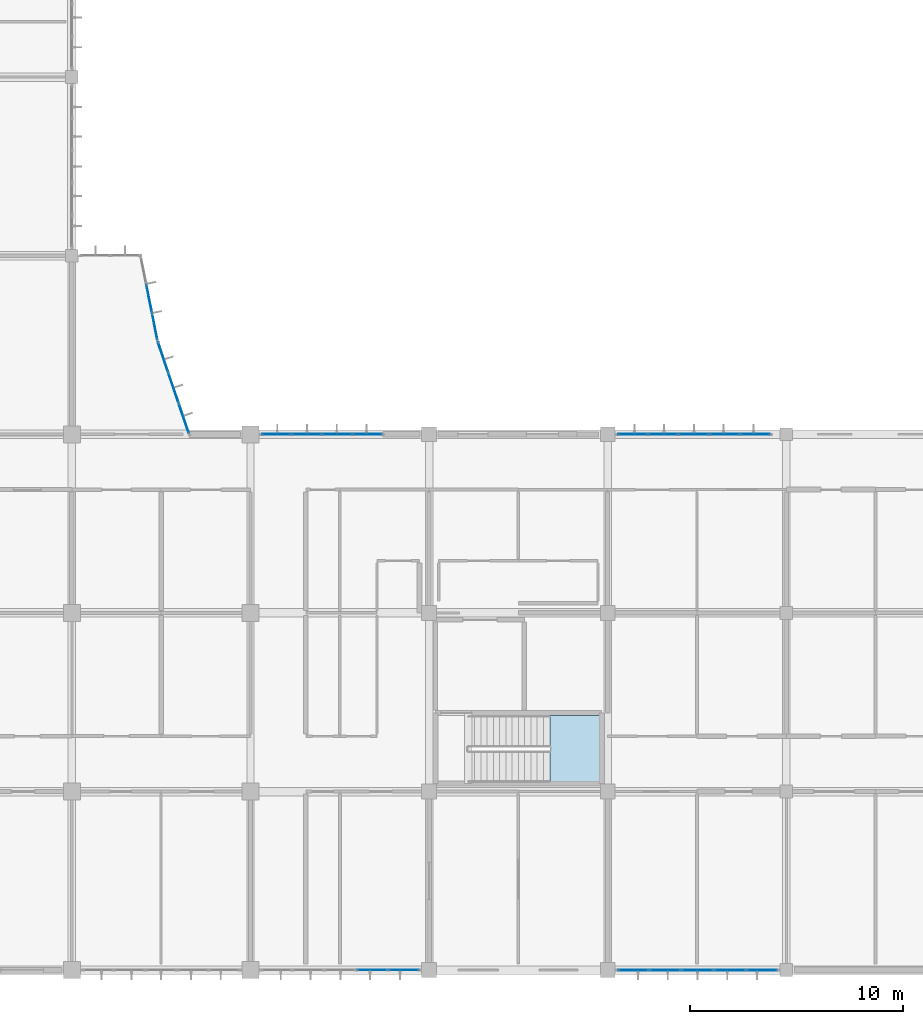
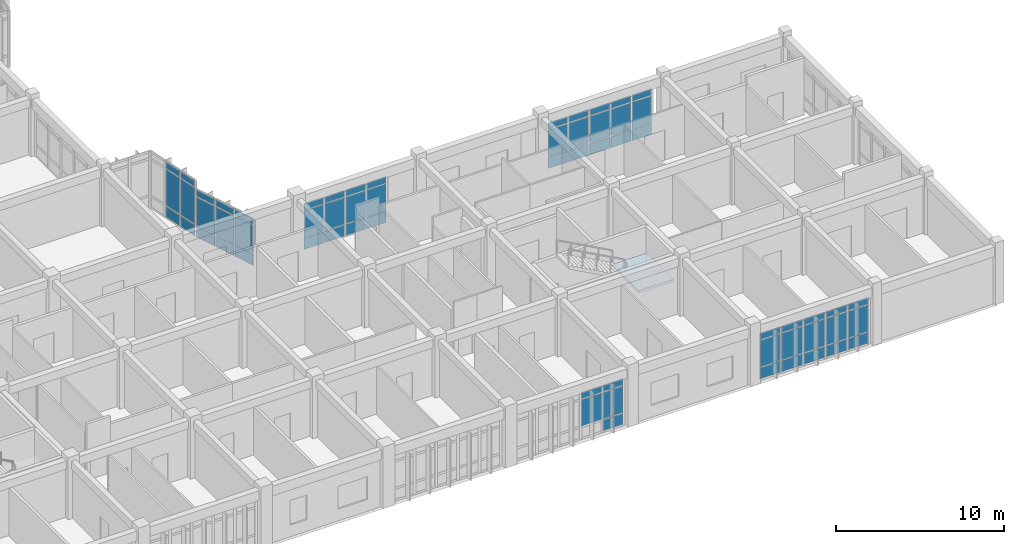
# One storey, part 84 of 144: 62 plates, 1 slab, 7 elements without a shape of their own.
"""IFC4 building model written with IfcOpenShell, lengths in metres."""

from ifc_helpers import new_model, si_unit, direction, frame, origin, origin_2d, place, context, subcontext, project, spatial, polyline, rectangle, outline, extrude, material, layer, layer_set, type_object, element, aggregate, save


model = new_model("IFC4")

# Units and contexts
model_context = context("Model", 3, precision=1e-05, world=origin(), true_north=direction((0.0, 1.0)))
body_context = subcontext(model_context, "Body", "Model", "MODEL_VIEW")
ifc_project = project(units=[si_unit("LENGTHUNIT", "METRE"), si_unit("AREAUNIT", "SQUARE_METRE"), si_unit("VOLUMEUNIT", "CUBIC_METRE"), si_unit("PLANEANGLEUNIT", "RADIAN"), si_unit("MASSUNIT", "GRAM", prefix="KILO")], contexts=[model_context])

# Site, building, storey
site_placement = place(None, origin())
site = spatial("IfcSite", under=ifc_project, at=site_placement, CompositionType="ELEMENT")
building_placement = place(site_placement, origin())
building = spatial("IfcBuilding", under=site, at=building_placement, Name="Bramfleet General Hospital", CompositionType="ELEMENT")
storey_placement = place(building_placement, frame((0.0, 0.0, 4.800048828125)))
storey = spatial("IfcBuildingStorey", under=building, at=storey_placement, Name="L01", CompositionType="ELEMENT", Elevation=4.800048828125)

# Curtain wall, plates
ifc_material_1 = material(Name="Anodised aluminium and low-E triple glazing", Category="aluminium")
ifc_layer_1 = layer(ifc_material_1, 0.179931640625, Name="CWT-CW-15")
ifc_layer_set_1 = layer_set([ifc_layer_1], Name="Anodised aluminium and low-E triple glazing")
curtain_wall_type_1 = type_object("IfcCurtainWallType", Name="CWT-CW-15", PredefinedType="USERDEFINED", material=ifc_layer_set_1)
curtain_wall_1_placement = place(storey_placement, origin())
curtain_wall_1 = element("IfcCurtainWall", 1, at=curtain_wall_1_placement, inside=storey, type_object=curtain_wall_type_1, Name="L01 Curtain Wall 69", ObjectType="Stick curtain wall", PredefinedType="USERDEFINED")
ifc_material_2 = material(Name="Low-E laminated safety glass", Category="glass")
ifc_layer_2 = layer(ifc_material_2, 0.028076171875, Name="CWP-GLZ-1")
ifc_layer_set_2 = layer_set([ifc_layer_2], Name="Low-E laminated safety glass")
plate_type_1 = type_object("IfcPlateType", Name="CWP-GLZ-1", PredefinedType="CURTAIN_PANEL", material=ifc_layer_set_2)
plate_1_placement = place(storey_placement, frame((152.367919921875, 25.199951171875, 0.06494140625), z_axis=(0.0, 0.0, 1.0), x_axis=(1.0, 0.0, 0.0)))
plate_1 = element("IfcPlate", 2, at=plate_1_placement, type_object=plate_type_1, Name="CW-15 panel 1.1", PredefinedType="CURTAIN_PANEL", context=body_context, shape_type="SweptSolid", body=[
    extrude(rectangle(XDim=1.345947265625, YDim=0.028076171875, at=origin_2d()), origin(), (0.0, 0.0, 1.0), 0.802490234375),
])
plate_2_placement = place(storey_placement, frame((152.367919921875, 25.199951171875, 0.9326171875), z_axis=(0.0, 0.0, 1.0), x_axis=(1.0, 0.0, 0.0)))
plate_2 = element("IfcPlate", 3, at=plate_2_placement, type_object=plate_type_1, Name="CW-15 panel 1.2", PredefinedType="CURTAIN_PANEL", context=body_context, shape_type="SweptSolid", body=[
    extrude(rectangle(XDim=1.345947265625, YDim=0.028076171875, at=origin_2d()), origin(), (0.0, 0.0, 1.0), 1.925048828125),
])
plate_3_placement = place(storey_placement, frame((152.367919921875, 25.199951171875, 2.92236328125), z_axis=(0.0, 0.0, 1.0), x_axis=(1.0, 0.0, 0.0)))
plate_3 = element("IfcPlate", 4, at=plate_3_placement, type_object=plate_type_1, Name="CW-15 panel 1.3", PredefinedType="CURTAIN_PANEL", context=body_context, shape_type="SweptSolid", body=[
    extrude(rectangle(XDim=1.345947265625, YDim=0.028076171875, at=origin_2d()), origin(), (0.0, 0.0, 1.0), 0.452392578125),
])
plate_4_placement = place(storey_placement, frame((153.801513671875, 25.199951171875, 0.06494140625), z_axis=(0.0, 0.0, 1.0), x_axis=(1.0, 0.0, 0.0)))
plate_4 = element("IfcPlate", 5, at=plate_4_placement, type_object=plate_type_1, Name="CW-15 panel 2.1", PredefinedType="CURTAIN_PANEL", context=body_context, shape_type="SweptSolid", body=[
    extrude(rectangle(XDim=1.381103515625, YDim=0.028076171875, at=origin_2d()), origin(), (0.0, 0.0, 1.0), 0.802490234375),
])
plate_5_placement = place(storey_placement, frame((153.801513671875, 25.199951171875, 0.9326171875), z_axis=(0.0, 0.0, 1.0), x_axis=(1.0, 0.0, 0.0)))
plate_5 = element("IfcPlate", 6, at=plate_5_placement, type_object=plate_type_1, Name="CW-15 panel 2.2", PredefinedType="CURTAIN_PANEL", context=body_context, shape_type="SweptSolid", body=[
    extrude(rectangle(XDim=1.381103515625, YDim=0.028076171875, at=origin_2d()), origin(), (0.0, 0.0, 1.0), 1.925048828125),
])
plate_6_placement = place(storey_placement, frame((153.801513671875, 25.199951171875, 2.92236328125), z_axis=(0.0, 0.0, 1.0), x_axis=(1.0, 0.0, 0.0)))
plate_6 = element("IfcPlate", 7, at=plate_6_placement, type_object=plate_type_1, Name="CW-15 panel 2.3", PredefinedType="CURTAIN_PANEL", context=body_context, shape_type="SweptSolid", body=[
    extrude(rectangle(XDim=1.381103515625, YDim=0.028076171875, at=origin_2d()), origin(), (0.0, 0.0, 1.0), 0.452392578125),
])
plate_7_placement = place(storey_placement, frame((155.25244140625, 25.199951171875, 0.06494140625), z_axis=(0.0, 0.0, 1.0), x_axis=(1.0, 0.0, 0.0)))
plate_7 = element("IfcPlate", 8, at=plate_7_placement, type_object=plate_type_1, Name="CW-15 panel 3.1", PredefinedType="CURTAIN_PANEL", context=body_context, shape_type="SweptSolid", body=[
    extrude(rectangle(XDim=1.381103515625, YDim=0.028076171875, at=origin_2d()), origin(), (0.0, 0.0, 1.0), 0.802490234375),
])
plate_8_placement = place(storey_placement, frame((155.25244140625, 25.199951171875, 0.9326171875), z_axis=(0.0, 0.0, 1.0), x_axis=(1.0, 0.0, 0.0)))
plate_8 = element("IfcPlate", 9, at=plate_8_placement, type_object=plate_type_1, Name="CW-15 panel 3.2", PredefinedType="CURTAIN_PANEL", context=body_context, shape_type="SweptSolid", body=[
    extrude(rectangle(XDim=1.381103515625, YDim=0.028076171875, at=origin_2d()), origin(), (0.0, 0.0, 1.0), 1.925048828125),
])
plate_9_placement = place(storey_placement, frame((155.25244140625, 25.199951171875, 2.92236328125), z_axis=(0.0, 0.0, 1.0), x_axis=(1.0, 0.0, 0.0)))
plate_9 = element("IfcPlate", 10, at=plate_9_placement, type_object=plate_type_1, Name="CW-15 panel 3.3", PredefinedType="CURTAIN_PANEL", context=body_context, shape_type="SweptSolid", body=[
    extrude(rectangle(XDim=1.381103515625, YDim=0.028076171875, at=origin_2d()), origin(), (0.0, 0.0, 1.0), 0.452392578125),
])
plate_10_placement = place(storey_placement, frame((156.70361328125, 25.199951171875, 0.06494140625), z_axis=(0.0, 0.0, 1.0), x_axis=(1.0, 0.0, 0.0)))
plate_10 = element("IfcPlate", 11, at=plate_10_placement, type_object=plate_type_1, Name="CW-15 panel 4.1", PredefinedType="CURTAIN_PANEL", context=body_context, shape_type="SweptSolid", body=[
    extrude(rectangle(XDim=1.381103515625, YDim=0.028076171875, at=origin_2d()), origin(), (0.0, 0.0, 1.0), 0.802490234375),
])
plate_11_placement = place(storey_placement, frame((156.70361328125, 25.199951171875, 0.9326171875), z_axis=(0.0, 0.0, 1.0), x_axis=(1.0, 0.0, 0.0)))
plate_11 = element("IfcPlate", 12, at=plate_11_placement, type_object=plate_type_1, Name="CW-15 panel 4.2", PredefinedType="CURTAIN_PANEL", context=body_context, shape_type="SweptSolid", body=[
    extrude(rectangle(XDim=1.381103515625, YDim=0.028076171875, at=origin_2d()), origin(), (0.0, 0.0, 1.0), 1.925048828125),
])
plate_12_placement = place(storey_placement, frame((156.70361328125, 25.199951171875, 2.92236328125), z_axis=(0.0, 0.0, 1.0), x_axis=(1.0, 0.0, 0.0)))
plate_12 = element("IfcPlate", 13, at=plate_12_placement, type_object=plate_type_1, Name="CW-15 panel 4.3", PredefinedType="CURTAIN_PANEL", context=body_context, shape_type="SweptSolid", body=[
    extrude(rectangle(XDim=1.381103515625, YDim=0.028076171875, at=origin_2d()), origin(), (0.0, 0.0, 1.0), 0.452392578125),
])
plate_13_placement = place(storey_placement, frame((158.136962890625, 25.199951171875, 0.06494140625), z_axis=(0.0, 0.0, 1.0), x_axis=(1.0, 0.0, 0.0)))
plate_13 = element("IfcPlate", 14, at=plate_13_placement, type_object=plate_type_1, Name="CW-15 panel 5.1", PredefinedType="CURTAIN_PANEL", context=body_context, shape_type="SweptSolid", body=[
    extrude(rectangle(XDim=1.345947265625, YDim=0.028076171875, at=origin_2d()), origin(), (0.0, 0.0, 1.0), 0.802490234375),
])
plate_14_placement = place(storey_placement, frame((158.136962890625, 25.199951171875, 0.9326171875), z_axis=(0.0, 0.0, 1.0), x_axis=(1.0, 0.0, 0.0)))
plate_14 = element("IfcPlate", 15, at=plate_14_placement, type_object=plate_type_1, Name="CW-15 panel 5.2", PredefinedType="CURTAIN_PANEL", context=body_context, shape_type="SweptSolid", body=[
    extrude(rectangle(XDim=1.345947265625, YDim=0.028076171875, at=origin_2d()), origin(), (0.0, 0.0, 1.0), 1.925048828125),
])
plate_15_placement = place(storey_placement, frame((158.136962890625, 25.199951171875, 2.92236328125), z_axis=(0.0, 0.0, 1.0), x_axis=(1.0, 0.0, 0.0)))
plate_15 = element("IfcPlate", 16, at=plate_15_placement, type_object=plate_type_1, Name="CW-15 panel 5.3", PredefinedType="CURTAIN_PANEL", context=body_context, shape_type="SweptSolid", body=[
    extrude(rectangle(XDim=1.345947265625, YDim=0.028076171875, at=origin_2d()), origin(), (0.0, 0.0, 1.0), 0.452392578125),
])
aggregate(curtain_wall_1, [plate_1, plate_2, plate_3, plate_4, plate_5, plate_6, plate_7, plate_8, plate_9, plate_10, plate_11, plate_12, plate_13, plate_14, plate_15])

ifc_layer_3 = layer(ifc_material_1, 0.179931640625, Name="CWT-CW-01")
ifc_layer_set_3 = layer_set([ifc_layer_3], Name="Anodised aluminium and low-E triple glazing")
curtain_wall_type_2 = type_object("IfcCurtainWallType", Name="CWT-CW-01", PredefinedType="USERDEFINED", material=ifc_layer_set_3)
curtain_wall_2_placement = place(storey_placement, origin())
curtain_wall_2 = element("IfcCurtainWall", 17, at=curtain_wall_2_placement, inside=storey, type_object=curtain_wall_type_2, Name="L01 Curtain Wall 73", ObjectType="Unitised curtain wall", PredefinedType="USERDEFINED")
plate_16_placement = place(storey_placement, frame((141.607421875, 0.0, 0.06494140625), z_axis=(0.0, 0.0, 1.0), x_axis=(-1.0, 0.0, 0.0)))
plate_16 = element("IfcPlate", 18, at=plate_16_placement, type_object=plate_type_1, Name="CW-01 panel 1.1", PredefinedType="CURTAIN_PANEL", context=body_context, shape_type="SweptSolid", body=[
    extrude(rectangle(XDim=1.39501953125, YDim=0.028076171875, at=origin_2d()), origin(), (0.0, 0.0, 1.0), 0.802490234375),
])
plate_17_placement = place(storey_placement, frame((141.607421875, 0.0, 0.9326171875), z_axis=(0.0, 0.0, 1.0), x_axis=(-1.0, 0.0, 0.0)))
plate_17 = element("IfcPlate", 19, at=plate_17_placement, type_object=plate_type_1, Name="CW-01 panel 1.2", PredefinedType="CURTAIN_PANEL", context=body_context, shape_type="SweptSolid", body=[
    extrude(rectangle(XDim=1.39501953125, YDim=0.028076171875, at=origin_2d()), origin(), (0.0, 0.0, 1.0), 1.925048828125),
])
plate_18_placement = place(storey_placement, frame((141.607421875, 0.0, 2.92236328125), z_axis=(0.0, 0.0, 1.0), x_axis=(-1.0, 0.0, 0.0)))
plate_18 = element("IfcPlate", 20, at=plate_18_placement, type_object=plate_type_1, Name="CW-01 panel 1.3", PredefinedType="CURTAIN_PANEL", context=body_context, shape_type="SweptSolid", body=[
    extrude(rectangle(XDim=1.39501953125, YDim=0.028076171875, at=origin_2d()), origin(), (0.0, 0.0, 1.0), 0.452392578125),
])
plate_19_placement = place(storey_placement, frame((140.125, 0.0, 0.9326171875), z_axis=(0.0, 0.0, 1.0), x_axis=(-1.0, 0.0, 0.0)))
plate_19 = element("IfcPlate", 21, at=plate_19_placement, type_object=plate_type_1, Name="CW-01 panel 2.2", PredefinedType="CURTAIN_PANEL", context=body_context, shape_type="SweptSolid", body=[
    extrude(rectangle(XDim=1.429931640625, YDim=0.028076171875, at=origin_2d()), origin(), (0.0, 0.0, 1.0), 1.925048828125),
])
plate_20_placement = place(storey_placement, frame((140.125, 0.0, 2.92236328125), z_axis=(0.0, 0.0, 1.0), x_axis=(-1.0, 0.0, 0.0)))
plate_20 = element("IfcPlate", 22, at=plate_20_placement, type_object=plate_type_1, Name="CW-01 panel 2.3", PredefinedType="CURTAIN_PANEL", context=body_context, shape_type="SweptSolid", body=[
    extrude(rectangle(XDim=1.429931640625, YDim=0.028076171875, at=origin_2d()), origin(), (0.0, 0.0, 1.0), 0.452392578125),
])
aggregate(curtain_wall_2, [plate_16, plate_17, plate_18, plate_19, plate_20])

ifc_layer_4 = layer(ifc_material_1, 0.179931640625, Name="CWT-CW-12")
ifc_layer_set_4 = layer_set([ifc_layer_4], Name="Anodised aluminium and low-E triple glazing")
curtain_wall_type_3 = type_object("IfcCurtainWallType", Name="CWT-CW-12", PredefinedType="USERDEFINED", material=ifc_layer_set_4)
curtain_wall_3_placement = place(storey_placement, origin())
curtain_wall_3 = element("IfcCurtainWall", 23, at=curtain_wall_3_placement, inside=storey, type_object=curtain_wall_type_3, Name="L01 Curtain Wall 66", ObjectType="Stick curtain wall", PredefinedType="USERDEFINED")
ifc_layer_5 = layer(ifc_material_2, 0.031982421875, Name="CWP-GLZ-2")
ifc_layer_set_5 = layer_set([ifc_layer_5], Name="Low-E laminated safety glass")
plate_type_2 = type_object("IfcPlateType", Name="CWP-GLZ-2", PredefinedType="CURTAIN_PANEL", material=ifc_layer_set_5)
plate_21_placement = place(storey_placement, frame((129.635498046875, 31.58837890625, 0.06494140625), z_axis=(0.0, 0.0, 1.0), x_axis=(0.195272189606, -0.980749087161, 0.0)))
plate_21 = element("IfcPlate", 24, at=plate_21_placement, type_object=plate_type_2, Name="CW-12 panel 2.1", PredefinedType="CURTAIN_PANEL", context=body_context, shape_type="SweptSolid", body=[
    extrude(rectangle(XDim=1.29736328125, YDim=0.031982421875, at=origin_2d()), origin(), (0.0, 0.0, 1.0), 0.802490234375),
])
plate_22_placement = place(storey_placement, frame((129.635498046875, 31.58837890625, 0.932373046875), z_axis=(0.0, 0.0, 1.0), x_axis=(0.195272189606, -0.980749087161, 0.0)))
plate_22 = element("IfcPlate", 25, at=plate_22_placement, type_object=plate_type_2, Name="CW-12 panel 2.2", PredefinedType="CURTAIN_PANEL", context=body_context, shape_type="SweptSolid", body=[
    extrude(rectangle(XDim=1.29736328125, YDim=0.031982421875, at=origin_2d()), origin(), (0.0, 0.0, 1.0), 2.625),
])
plate_23_placement = place(storey_placement, frame((129.635498046875, 31.58837890625, 3.62255859375), z_axis=(0.0, 0.0, 1.0), x_axis=(0.195272189606, -0.980749087161, 0.0)))
plate_23 = element("IfcPlate", 26, at=plate_23_placement, type_object=plate_type_2, Name="CW-12 panel 2.3", PredefinedType="CURTAIN_PANEL", context=body_context, shape_type="SweptSolid", body=[
    extrude(rectangle(XDim=1.29736328125, YDim=0.031982421875, at=origin_2d()), origin(), (0.0, 0.0, 1.0), 0.452392578125),
])
plate_24_placement = place(storey_placement, frame((129.899169921875, 30.2646484375, 0.06494140625), z_axis=(0.0, 0.0, 1.0), x_axis=(0.195272189606, -0.980749087161, 0.0)))
plate_24 = element("IfcPlate", 27, at=plate_24_placement, type_object=plate_type_2, Name="CW-12 panel 3.1", PredefinedType="CURTAIN_PANEL", context=body_context, shape_type="SweptSolid", body=[
    extrude(rectangle(XDim=1.26220703125, YDim=0.031982421875, at=origin_2d()), origin(), (0.0, 0.0, 1.0), 0.802490234375),
])
plate_25_placement = place(storey_placement, frame((129.899169921875, 30.2646484375, 0.932373046875), z_axis=(0.0, 0.0, 1.0), x_axis=(0.195272189606, -0.980749087161, 0.0)))
plate_25 = element("IfcPlate", 28, at=plate_25_placement, type_object=plate_type_2, Name="CW-12 panel 3.2", PredefinedType="CURTAIN_PANEL", context=body_context, shape_type="SweptSolid", body=[
    extrude(rectangle(XDim=1.26220703125, YDim=0.031982421875, at=origin_2d()), origin(), (0.0, 0.0, 1.0), 2.625),
])
plate_26_placement = place(storey_placement, frame((129.899169921875, 30.2646484375, 3.62255859375), z_axis=(0.0, 0.0, 1.0), x_axis=(0.195272189606, -0.980749087161, 0.0)))
plate_26 = element("IfcPlate", 29, at=plate_26_placement, type_object=plate_type_2, Name="CW-12 panel 3.3", PredefinedType="CURTAIN_PANEL", context=body_context, shape_type="SweptSolid", body=[
    extrude(rectangle(XDim=1.26220703125, YDim=0.031982421875, at=origin_2d()), origin(), (0.0, 0.0, 1.0), 0.452392578125),
])
aggregate(curtain_wall_3, [plate_21, plate_22, plate_23, plate_24, plate_25, plate_26])

ifc_layer_6 = layer(ifc_material_1, 0.179931640625, Name="CWT-CW-13")
ifc_layer_set_6 = layer_set([ifc_layer_6], Name="Anodised aluminium and low-E triple glazing")
curtain_wall_type_4 = type_object("IfcCurtainWallType", Name="CWT-CW-13", PredefinedType="USERDEFINED", material=ifc_layer_set_6)
curtain_wall_4_placement = place(storey_placement, origin())
curtain_wall_4 = element("IfcCurtainWall", 30, at=curtain_wall_4_placement, inside=storey, type_object=curtain_wall_type_4, Name="L01 Curtain Wall 67", ObjectType="Stick curtain wall", PredefinedType="USERDEFINED")
ifc_layer_7 = layer(ifc_material_2, 0.035888671875, Name="CWP-GLZ-3")
ifc_layer_set_7 = layer_set([ifc_layer_7], Name="Low-E laminated safety glass")
plate_type_3 = type_object("IfcPlateType", Name="CWP-GLZ-3", PredefinedType="CURTAIN_PANEL", material=ifc_layer_set_7)
plate_27_placement = place(storey_placement, frame((130.2890625, 28.830810546875, 0.06494140625), z_axis=(0.0, 0.0, 1.0), x_axis=(0.321285950829, -0.94698222676, 0.0)))
plate_27 = element("IfcPlate", 31, at=plate_27_placement, type_object=plate_type_3, Name="CW-13 panel 1.1", PredefinedType="CURTAIN_PANEL", context=body_context, shape_type="SweptSolid", body=[
    extrude(rectangle(XDim=1.435791015625, YDim=0.035888671875, at=origin_2d()), origin(), (0.0, 0.0, 1.0), 0.802490234375),
])
plate_28_placement = place(storey_placement, frame((130.2890625, 28.830810546875, 0.9326171875), z_axis=(0.0, 0.0, 1.0), x_axis=(0.321285950829, -0.94698222676, 0.0)))
plate_28 = element("IfcPlate", 32, at=plate_28_placement, type_object=plate_type_3, Name="CW-13 panel 1.2", PredefinedType="CURTAIN_PANEL", context=body_context, shape_type="SweptSolid", body=[
    extrude(rectangle(XDim=1.435791015625, YDim=0.035888671875, at=origin_2d()), origin(), (0.0, 0.0, 1.0), 2.02490234375),
])
plate_29_placement = place(storey_placement, frame((130.2890625, 28.830810546875, 3.0224609375), z_axis=(0.0, 0.0, 1.0), x_axis=(0.321285950829, -0.94698222676, 0.0)))
plate_29 = element("IfcPlate", 33, at=plate_29_placement, type_object=plate_type_3, Name="CW-13 panel 1.3", PredefinedType="CURTAIN_PANEL", context=body_context, shape_type="SweptSolid", body=[
    extrude(rectangle(XDim=1.435791015625, YDim=0.035888671875, at=origin_2d()), origin(), (0.0, 0.0, 1.0), 0.452392578125),
])
plate_30_placement = place(storey_placement, frame((130.778564453125, 27.388427734375, 0.06494140625), z_axis=(0.0, 0.0, 1.0), x_axis=(0.321285950829, -0.94698222676, 0.0)))
plate_30 = element("IfcPlate", 34, at=plate_30_placement, type_object=plate_type_3, Name="CW-13 panel 2.1", PredefinedType="CURTAIN_PANEL", context=body_context, shape_type="SweptSolid", body=[
    extrude(rectangle(XDim=1.470703125, YDim=0.035888671875, at=origin_2d()), origin(), (0.0, 0.0, 1.0), 0.802490234375),
])
plate_31_placement = place(storey_placement, frame((130.778564453125, 27.388427734375, 0.9326171875), z_axis=(0.0, 0.0, 1.0), x_axis=(0.321285950829, -0.94698222676, 0.0)))
plate_31 = element("IfcPlate", 35, at=plate_31_placement, type_object=plate_type_3, Name="CW-13 panel 2.2", PredefinedType="CURTAIN_PANEL", context=body_context, shape_type="SweptSolid", body=[
    extrude(rectangle(XDim=1.470703125, YDim=0.035888671875, at=origin_2d()), origin(), (0.0, 0.0, 1.0), 2.02490234375),
])
plate_32_placement = place(storey_placement, frame((130.778564453125, 27.388427734375, 3.0224609375), z_axis=(0.0, 0.0, 1.0), x_axis=(0.321285950829, -0.94698222676, 0.0)))
plate_32 = element("IfcPlate", 36, at=plate_32_placement, type_object=plate_type_3, Name="CW-13 panel 2.3", PredefinedType="CURTAIN_PANEL", context=body_context, shape_type="SweptSolid", body=[
    extrude(rectangle(XDim=1.470703125, YDim=0.035888671875, at=origin_2d()), origin(), (0.0, 0.0, 1.0), 0.452392578125),
])
plate_33_placement = place(storey_placement, frame((131.267822265625, 25.946044921875, 0.06494140625), z_axis=(0.0, 0.0, 1.0), x_axis=(0.321285950829, -0.94698222676, 0.0)))
plate_33 = element("IfcPlate", 37, at=plate_33_placement, type_object=plate_type_3, Name="CW-13 panel 3.1", PredefinedType="CURTAIN_PANEL", context=body_context, shape_type="SweptSolid", body=[
    extrude(rectangle(XDim=1.435791015625, YDim=0.035888671875, at=origin_2d()), origin(), (0.0, 0.0, 1.0), 0.802490234375),
])
plate_34_placement = place(storey_placement, frame((131.267822265625, 25.946044921875, 0.9326171875), z_axis=(0.0, 0.0, 1.0), x_axis=(0.321285950829, -0.94698222676, 0.0)))
plate_34 = element("IfcPlate", 38, at=plate_34_placement, type_object=plate_type_3, Name="CW-13 panel 3.2", PredefinedType="CURTAIN_PANEL", context=body_context, shape_type="SweptSolid", body=[
    extrude(rectangle(XDim=1.435791015625, YDim=0.035888671875, at=origin_2d()), origin(), (0.0, 0.0, 1.0), 2.02490234375),
])
plate_35_placement = place(storey_placement, frame((131.267822265625, 25.946044921875, 3.0224609375), z_axis=(0.0, 0.0, 1.0), x_axis=(0.321285950829, -0.94698222676, 0.0)))
plate_35 = element("IfcPlate", 39, at=plate_35_placement, type_object=plate_type_3, Name="CW-13 panel 3.3", PredefinedType="CURTAIN_PANEL", context=body_context, shape_type="SweptSolid", body=[
    extrude(rectangle(XDim=1.435791015625, YDim=0.035888671875, at=origin_2d()), origin(), (0.0, 0.0, 1.0), 0.452392578125),
])
aggregate(curtain_wall_4, [plate_27, plate_28, plate_29, plate_30, plate_31, plate_32, plate_33, plate_34, plate_35])

ifc_layer_8 = layer(ifc_material_1, 0.179931640625, Name="CWT-CW-14")
ifc_layer_set_8 = layer_set([ifc_layer_8], Name="Anodised aluminium and low-E triple glazing")
curtain_wall_type_5 = type_object("IfcCurtainWallType", Name="CWT-CW-14", PredefinedType="USERDEFINED", material=ifc_layer_set_8)
curtain_wall_5_placement = place(storey_placement, origin())
curtain_wall_5 = element("IfcCurtainWall", 40, at=curtain_wall_5_placement, inside=storey, type_object=curtain_wall_type_5, Name="L01 Curtain Wall 68", ObjectType="Stick curtain wall", PredefinedType="USERDEFINED")
ifc_layer_9 = layer(ifc_material_2, 0.0419921875, Name="CWP-GLZ-4")
ifc_layer_set_9 = layer_set([ifc_layer_9], Name="Low-E laminated safety glass")
plate_type_4 = type_object("IfcPlateType", Name="CWP-GLZ-4", PredefinedType="CURTAIN_PANEL", material=ifc_layer_set_9)
plate_36_placement = place(storey_placement, frame((135.61328125, 25.199951171875, 0.06494140625), z_axis=(0.0, 0.0, 1.0), x_axis=(1.0, 0.0, 0.0)))
plate_36 = element("IfcPlate", 41, at=plate_36_placement, type_object=plate_type_4, Name="CW-14 panel 1.1", PredefinedType="CURTAIN_PANEL", context=body_context, shape_type="SweptSolid", body=[
    extrude(rectangle(XDim=1.33642578125, YDim=0.0419921875, at=origin_2d()), origin(), (0.0, 0.0, 1.0), 0.802490234375),
])
plate_37_placement = place(storey_placement, frame((135.61328125, 25.199951171875, 0.9326171875), z_axis=(0.0, 0.0, 1.0), x_axis=(1.0, 0.0, 0.0)))
plate_37 = element("IfcPlate", 42, at=plate_37_placement, type_object=plate_type_4, Name="CW-14 panel 1.2", PredefinedType="CURTAIN_PANEL", context=body_context, shape_type="SweptSolid", body=[
    extrude(rectangle(XDim=1.33642578125, YDim=0.0419921875, at=origin_2d()), origin(), (0.0, 0.0, 1.0), 1.925048828125),
])
plate_38_placement = place(storey_placement, frame((135.61328125, 25.199951171875, 2.92236328125), z_axis=(0.0, 0.0, 1.0), x_axis=(1.0, 0.0, 0.0)))
plate_38 = element("IfcPlate", 43, at=plate_38_placement, type_object=plate_type_4, Name="CW-14 panel 1.3", PredefinedType="CURTAIN_PANEL", context=body_context, shape_type="SweptSolid", body=[
    extrude(rectangle(XDim=1.33642578125, YDim=0.0419921875, at=origin_2d()), origin(), (0.0, 0.0, 1.0), 0.452392578125),
])
plate_39_placement = place(storey_placement, frame((137.037353515625, 25.199951171875, 0.06494140625), z_axis=(0.0, 0.0, 1.0), x_axis=(1.0, 0.0, 0.0)))
plate_39 = element("IfcPlate", 44, at=plate_39_placement, type_object=plate_type_4, Name="CW-14 panel 2.1", PredefinedType="CURTAIN_PANEL", context=body_context, shape_type="SweptSolid", body=[
    extrude(rectangle(XDim=1.37158203125, YDim=0.0419921875, at=origin_2d()), origin(), (0.0, 0.0, 1.0), 0.802490234375),
])
plate_40_placement = place(storey_placement, frame((137.037353515625, 25.199951171875, 0.9326171875), z_axis=(0.0, 0.0, 1.0), x_axis=(1.0, 0.0, 0.0)))
plate_40 = element("IfcPlate", 45, at=plate_40_placement, type_object=plate_type_4, Name="CW-14 panel 2.2", PredefinedType="CURTAIN_PANEL", context=body_context, shape_type="SweptSolid", body=[
    extrude(rectangle(XDim=1.37158203125, YDim=0.0419921875, at=origin_2d()), origin(), (0.0, 0.0, 1.0), 1.925048828125),
])
plate_41_placement = place(storey_placement, frame((137.037353515625, 25.199951171875, 2.92236328125), z_axis=(0.0, 0.0, 1.0), x_axis=(1.0, 0.0, 0.0)))
plate_41 = element("IfcPlate", 46, at=plate_41_placement, type_object=plate_type_4, Name="CW-14 panel 2.3", PredefinedType="CURTAIN_PANEL", context=body_context, shape_type="SweptSolid", body=[
    extrude(rectangle(XDim=1.37158203125, YDim=0.0419921875, at=origin_2d()), origin(), (0.0, 0.0, 1.0), 0.452392578125),
])
plate_42_placement = place(storey_placement, frame((138.478759765625, 25.199951171875, 0.06494140625), z_axis=(0.0, 0.0, 1.0), x_axis=(1.0, 0.0, 0.0)))
plate_42 = element("IfcPlate", 47, at=plate_42_placement, type_object=plate_type_4, Name="CW-14 panel 3.1", PredefinedType="CURTAIN_PANEL", context=body_context, shape_type="SweptSolid", body=[
    extrude(rectangle(XDim=1.37158203125, YDim=0.0419921875, at=origin_2d()), origin(), (0.0, 0.0, 1.0), 0.802490234375),
])
plate_43_placement = place(storey_placement, frame((138.478759765625, 25.199951171875, 0.9326171875), z_axis=(0.0, 0.0, 1.0), x_axis=(1.0, 0.0, 0.0)))
plate_43 = element("IfcPlate", 48, at=plate_43_placement, type_object=plate_type_4, Name="CW-14 panel 3.2", PredefinedType="CURTAIN_PANEL", context=body_context, shape_type="SweptSolid", body=[
    extrude(rectangle(XDim=1.37158203125, YDim=0.0419921875, at=origin_2d()), origin(), (0.0, 0.0, 1.0), 1.925048828125),
])
plate_44_placement = place(storey_placement, frame((138.478759765625, 25.199951171875, 2.92236328125), z_axis=(0.0, 0.0, 1.0), x_axis=(1.0, 0.0, 0.0)))
plate_44 = element("IfcPlate", 49, at=plate_44_placement, type_object=plate_type_4, Name="CW-14 panel 3.3", PredefinedType="CURTAIN_PANEL", context=body_context, shape_type="SweptSolid", body=[
    extrude(rectangle(XDim=1.37158203125, YDim=0.0419921875, at=origin_2d()), origin(), (0.0, 0.0, 1.0), 0.452392578125),
])
plate_45_placement = place(storey_placement, frame((139.90283203125, 25.199951171875, 0.06494140625), z_axis=(0.0, 0.0, 1.0), x_axis=(1.0, 0.0, 0.0)))
plate_45 = element("IfcPlate", 50, at=plate_45_placement, type_object=plate_type_4, Name="CW-14 panel 4.1", PredefinedType="CURTAIN_PANEL", context=body_context, shape_type="SweptSolid", body=[
    extrude(rectangle(XDim=1.33642578125, YDim=0.0419921875, at=origin_2d()), origin(), (0.0, 0.0, 1.0), 0.802490234375),
])
plate_46_placement = place(storey_placement, frame((139.90283203125, 25.199951171875, 0.9326171875), z_axis=(0.0, 0.0, 1.0), x_axis=(1.0, 0.0, 0.0)))
plate_46 = element("IfcPlate", 51, at=plate_46_placement, type_object=plate_type_4, Name="CW-14 panel 4.2", PredefinedType="CURTAIN_PANEL", context=body_context, shape_type="SweptSolid", body=[
    extrude(rectangle(XDim=1.33642578125, YDim=0.0419921875, at=origin_2d()), origin(), (0.0, 0.0, 1.0), 1.925048828125),
])
plate_47_placement = place(storey_placement, frame((139.90283203125, 25.199951171875, 2.92236328125), z_axis=(0.0, 0.0, 1.0), x_axis=(1.0, 0.0, 0.0)))
plate_47 = element("IfcPlate", 52, at=plate_47_placement, type_object=plate_type_4, Name="CW-14 panel 4.3", PredefinedType="CURTAIN_PANEL", context=body_context, shape_type="SweptSolid", body=[
    extrude(rectangle(XDim=1.33642578125, YDim=0.0419921875, at=origin_2d()), origin(), (0.0, 0.0, 1.0), 0.452392578125),
])
aggregate(curtain_wall_5, [plate_36, plate_37, plate_38, plate_39, plate_40, plate_41, plate_42, plate_43, plate_44, plate_45, plate_46, plate_47])

ifc_layer_10 = layer(ifc_material_1, 0.179931640625, Name="CWT-CW-18")
ifc_layer_set_10 = layer_set([ifc_layer_10], Name="Anodised aluminium and low-E triple glazing")
curtain_wall_type_6 = type_object("IfcCurtainWallType", Name="CWT-CW-18", PredefinedType="USERDEFINED", material=ifc_layer_set_10)
curtain_wall_6_placement = place(storey_placement, origin())
curtain_wall_6 = element("IfcCurtainWall", 53, at=curtain_wall_6_placement, inside=storey, type_object=curtain_wall_type_6, Name="L01 Curtain Wall 72", ObjectType="Stick curtain wall", PredefinedType="USERDEFINED")
plate_48_placement = place(storey_placement, frame((158.447509765625, 0.0, 0.06494140625), z_axis=(0.0, 0.0, 1.0), x_axis=(-1.0, 0.0, 0.0)))
plate_48 = element("IfcPlate", 54, at=plate_48_placement, type_object=plate_type_4, Name="CW-18 panel 1.1", PredefinedType="CURTAIN_PANEL", context=body_context, shape_type="SweptSolid", body=[
    extrude(rectangle(XDim=1.4150390625, YDim=0.0419921875, at=origin_2d()), origin(), (0.0, 0.0, 1.0), 0.802490234375),
])
plate_49_placement = place(storey_placement, frame((158.447509765625, 0.0, 0.9326171875), z_axis=(0.0, 0.0, 1.0), x_axis=(-1.0, 0.0, 0.0)))
plate_49 = element("IfcPlate", 55, at=plate_49_placement, type_object=plate_type_4, Name="CW-18 panel 1.2", PredefinedType="CURTAIN_PANEL", context=body_context, shape_type="SweptSolid", body=[
    extrude(rectangle(XDim=1.4150390625, YDim=0.0419921875, at=origin_2d()), origin(), (0.0, 0.0, 1.0), 1.925048828125),
])
plate_50_placement = place(storey_placement, frame((158.447509765625, 0.0, 2.92236328125), z_axis=(0.0, 0.0, 1.0), x_axis=(-1.0, 0.0, 0.0)))
plate_50 = element("IfcPlate", 56, at=plate_50_placement, type_object=plate_type_4, Name="CW-18 panel 1.3", PredefinedType="CURTAIN_PANEL", context=body_context, shape_type="SweptSolid", body=[
    extrude(rectangle(XDim=1.4150390625, YDim=0.0419921875, at=origin_2d()), origin(), (0.0, 0.0, 1.0), 0.452392578125),
])
plate_51_placement = place(storey_placement, frame((156.945068359375, 0.0, 0.06494140625), z_axis=(0.0, 0.0, 1.0), x_axis=(-1.0, 0.0, 0.0)))
plate_51 = element("IfcPlate", 57, at=plate_51_placement, type_object=plate_type_4, Name="CW-18 panel 2.1", PredefinedType="CURTAIN_PANEL", context=body_context, shape_type="SweptSolid", body=[
    extrude(rectangle(XDim=1.449951171875, YDim=0.0419921875, at=origin_2d()), origin(), (0.0, 0.0, 1.0), 0.802490234375),
])
plate_52_placement = place(storey_placement, frame((156.945068359375, 0.0, 0.9326171875), z_axis=(0.0, 0.0, 1.0), x_axis=(-1.0, 0.0, 0.0)))
plate_52 = element("IfcPlate", 58, at=plate_52_placement, type_object=plate_type_4, Name="CW-18 panel 2.2", PredefinedType="CURTAIN_PANEL", context=body_context, shape_type="SweptSolid", body=[
    extrude(rectangle(XDim=1.449951171875, YDim=0.0419921875, at=origin_2d()), origin(), (0.0, 0.0, 1.0), 1.925048828125),
])
plate_53_placement = place(storey_placement, frame((156.945068359375, 0.0, 2.92236328125), z_axis=(0.0, 0.0, 1.0), x_axis=(-1.0, 0.0, 0.0)))
plate_53 = element("IfcPlate", 59, at=plate_53_placement, type_object=plate_type_4, Name="CW-18 panel 2.3", PredefinedType="CURTAIN_PANEL", context=body_context, shape_type="SweptSolid", body=[
    extrude(rectangle(XDim=1.449951171875, YDim=0.0419921875, at=origin_2d()), origin(), (0.0, 0.0, 1.0), 0.452392578125),
])
plate_54_placement = place(storey_placement, frame((155.425048828125, 0.0, 0.06494140625), z_axis=(0.0, 0.0, 1.0), x_axis=(-1.0, 0.0, 0.0)))
plate_54 = element("IfcPlate", 60, at=plate_54_placement, type_object=plate_type_4, Name="CW-18 panel 3.1", PredefinedType="CURTAIN_PANEL", context=body_context, shape_type="SweptSolid", body=[
    extrude(rectangle(XDim=1.449951171875, YDim=0.0419921875, at=origin_2d()), origin(), (0.0, 0.0, 1.0), 0.802490234375),
])
plate_55_placement = place(storey_placement, frame((155.425048828125, 0.0, 0.9326171875), z_axis=(0.0, 0.0, 1.0), x_axis=(-1.0, 0.0, 0.0)))
plate_55 = element("IfcPlate", 61, at=plate_55_placement, type_object=plate_type_4, Name="CW-18 panel 3.2", PredefinedType="CURTAIN_PANEL", context=body_context, shape_type="SweptSolid", body=[
    extrude(rectangle(XDim=1.449951171875, YDim=0.0419921875, at=origin_2d()), origin(), (0.0, 0.0, 1.0), 1.925048828125),
])
plate_56_placement = place(storey_placement, frame((155.425048828125, 0.0, 2.92236328125), z_axis=(0.0, 0.0, 1.0), x_axis=(-1.0, 0.0, 0.0)))
plate_56 = element("IfcPlate", 62, at=plate_56_placement, type_object=plate_type_4, Name="CW-18 panel 3.3", PredefinedType="CURTAIN_PANEL", context=body_context, shape_type="SweptSolid", body=[
    extrude(rectangle(XDim=1.449951171875, YDim=0.0419921875, at=origin_2d()), origin(), (0.0, 0.0, 1.0), 0.452392578125),
])
plate_57_placement = place(storey_placement, frame((153.905029296875, 0.0, 0.06494140625), z_axis=(0.0, 0.0, 1.0), x_axis=(-1.0, 0.0, 0.0)))
plate_57 = element("IfcPlate", 63, at=plate_57_placement, type_object=plate_type_4, Name="CW-18 panel 4.1", PredefinedType="CURTAIN_PANEL", context=body_context, shape_type="SweptSolid", body=[
    extrude(rectangle(XDim=1.449951171875, YDim=0.0419921875, at=origin_2d()), origin(), (0.0, 0.0, 1.0), 0.802490234375),
])
plate_58_placement = place(storey_placement, frame((153.905029296875, 0.0, 0.9326171875), z_axis=(0.0, 0.0, 1.0), x_axis=(-1.0, 0.0, 0.0)))
plate_58 = element("IfcPlate", 64, at=plate_58_placement, type_object=plate_type_4, Name="CW-18 panel 4.2", PredefinedType="CURTAIN_PANEL", context=body_context, shape_type="SweptSolid", body=[
    extrude(rectangle(XDim=1.449951171875, YDim=0.0419921875, at=origin_2d()), origin(), (0.0, 0.0, 1.0), 1.925048828125),
])
plate_59_placement = place(storey_placement, frame((153.905029296875, 0.0, 2.92236328125), z_axis=(0.0, 0.0, 1.0), x_axis=(-1.0, 0.0, 0.0)))
plate_59 = element("IfcPlate", 65, at=plate_59_placement, type_object=plate_type_4, Name="CW-18 panel 4.3", PredefinedType="CURTAIN_PANEL", context=body_context, shape_type="SweptSolid", body=[
    extrude(rectangle(XDim=1.449951171875, YDim=0.0419921875, at=origin_2d()), origin(), (0.0, 0.0, 1.0), 0.452392578125),
])
plate_60_placement = place(storey_placement, frame((152.402587890625, 0.0, 0.06494140625), z_axis=(0.0, 0.0, 1.0), x_axis=(-1.0, 0.0, 0.0)))
plate_60 = element("IfcPlate", 66, at=plate_60_placement, type_object=plate_type_4, Name="CW-18 panel 5.1", PredefinedType="CURTAIN_PANEL", context=body_context, shape_type="SweptSolid", body=[
    extrude(rectangle(XDim=1.4150390625, YDim=0.0419921875, at=origin_2d()), origin(), (0.0, 0.0, 1.0), 0.802490234375),
])
plate_61_placement = place(storey_placement, frame((152.402587890625, 0.0, 0.9326171875), z_axis=(0.0, 0.0, 1.0), x_axis=(-1.0, 0.0, 0.0)))
plate_61 = element("IfcPlate", 67, at=plate_61_placement, type_object=plate_type_4, Name="CW-18 panel 5.2", PredefinedType="CURTAIN_PANEL", context=body_context, shape_type="SweptSolid", body=[
    extrude(rectangle(XDim=1.4150390625, YDim=0.0419921875, at=origin_2d()), origin(), (0.0, 0.0, 1.0), 1.925048828125),
])
plate_62_placement = place(storey_placement, frame((152.402587890625, 0.0, 2.92236328125), z_axis=(0.0, 0.0, 1.0), x_axis=(-1.0, 0.0, 0.0)))
plate_62 = element("IfcPlate", 68, at=plate_62_placement, type_object=plate_type_4, Name="CW-18 panel 5.3", PredefinedType="CURTAIN_PANEL", context=body_context, shape_type="SweptSolid", body=[
    extrude(rectangle(XDim=1.4150390625, YDim=0.0419921875, at=origin_2d()), origin(), (0.0, 0.0, 1.0), 0.452392578125),
])
aggregate(curtain_wall_6, [plate_48, plate_49, plate_50, plate_51, plate_52, plate_53, plate_54, plate_55, plate_56, plate_57, plate_58, plate_59, plate_60, plate_61, plate_62])

# Stair, slab
ifc_material_3 = material(Name="Concrete C35/45", Category="concrete")
stair_type = type_object("IfcStairType", Name="STR-T2", PredefinedType="HALF_TURN_STAIR", material=ifc_material_3)
stair_placement = place(storey_placement, origin())
stair = element("IfcStair", 69, at=stair_placement, inside=storey, type_object=stair_type, Name="L01 Core C10 (South-East Clinic & Ward Escape) Protected Escape Stair", PredefinedType="HALF_TURN_STAIR")
ifc_layer_11 = layer(ifc_material_3, 0.199951171875, Name="SL-LND-200")
ifc_layer_set_11 = layer_set([ifc_layer_11], Name="Concrete C35/45")
slab_type = type_object("IfcSlabType", Name="SL-LND-200", PredefinedType="LANDING", material=ifc_layer_set_11)
slab_placement = place(storey_placement, frame((0.0, 0.0, 2.050048828125)))
slab = element("IfcSlab", 70, at=slab_placement, type_object=slab_type, Name="ST-C10 landing 1", PredefinedType="LANDING", context=body_context, shape_type="SweptSolid", body=[
    extrude(outline(polyline([(148.47509765625, 8.820068359375), (150.860107421875, 8.820068359375), (150.860107421875, 11.97998046875), (148.47509765625, 11.97998046875), (148.47509765625, 8.820068359375)])), origin(), (0.0, 0.0, 1.0), 0.199951171875),
])
aggregate(stair, [slab])

save(model, "model.ifc")
